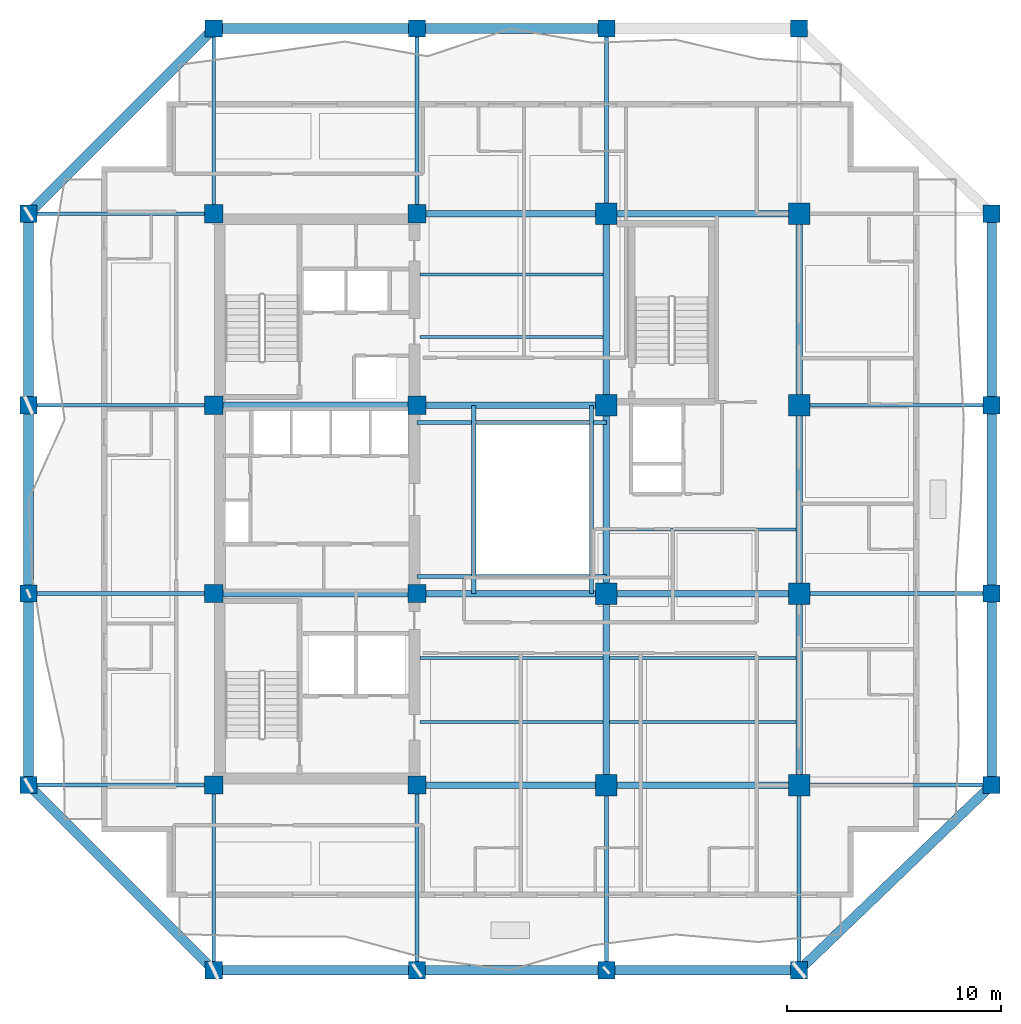
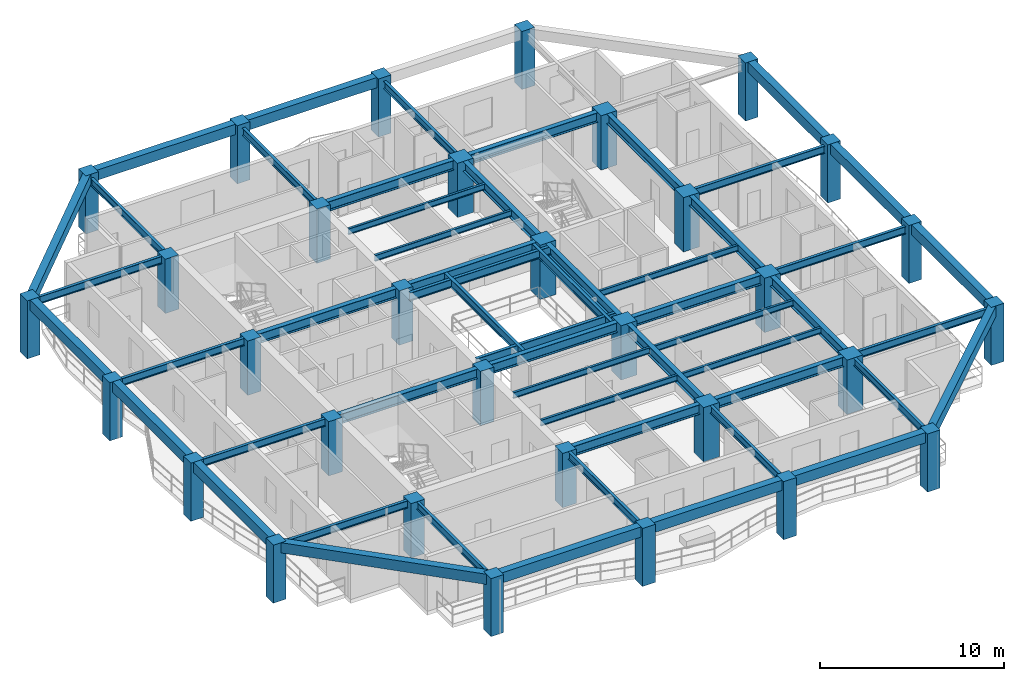
# One storey, part 1 of 11: 54 beams, 32 columns.
"""IFC4 building model written with IfcOpenShell, lengths in metres."""

from ifc_helpers import new_model, si_unit, direction, frame, origin, origin_2d, place, context, subcontext, project, spatial, rectangle, i_section, extrude, material, material_profile, profile_set, type_object, element, save


model = new_model("IFC4")

# Units and contexts
model_context = context("Model", 3, precision=1e-05, world=origin(), true_north=direction((0.0, 1.0)))
body_context = subcontext(model_context, "Body", "Model", "MODEL_VIEW")
ifc_project = project(units=[si_unit("LENGTHUNIT", "METRE"), si_unit("AREAUNIT", "SQUARE_METRE"), si_unit("VOLUMEUNIT", "CUBIC_METRE"), si_unit("PLANEANGLEUNIT", "RADIAN"), si_unit("MASSUNIT", "GRAM", prefix="KILO")], contexts=[model_context])

# Site, building, storey
site_placement = place(None, origin())
site = spatial("IfcSite", under=ifc_project, at=site_placement, CompositionType="ELEMENT")
building_placement = place(site_placement, origin())
building = spatial("IfcBuilding", under=site, at=building_placement, Name="Kundavana Baori Tower", CompositionType="ELEMENT")
storey_placement = place(building_placement, frame((0.0, 0.0, 130.949951171875)))
storey = spatial("IfcBuildingStorey", under=building, at=storey_placement, Name="L31", CompositionType="ELEMENT", Elevation=130.949951171875)

# Columns
ifc_material_1 = material(Name="Concrete C50/60", Category="concrete")
ifc_material_profile_1 = material_profile(ifc_material_1, rectangle(XDim=0.800048828125, YDim=0.800048828125, at=origin_2d()), Name="RC PF 800x800")
ifc_profile_set_1 = profile_set([ifc_material_profile_1], Name="Concrete C50/60")
column_type_1 = type_object("IfcColumnType", Name="COL-PF-800", PredefinedType="COLUMN", material=ifc_profile_set_1)
for number, where, z_axis, x_axis, name in (
    (1, (15.449951171875, 6.60009765625, 0.0), (0.0, 0.0, 1.0), (1.0, 0.0, 0.0), "L31 Stone-Clad Perimeter Frame Column PF-S1"),
    (2, (15.449951171875, 50.60009765625, 0.0), (0.0, 0.0, 1.0), (1.0, 0.0, 0.0), "L31 Stone-Clad Perimeter Frame Column PF-N1"),
    (3, (24.949951171875, 6.60009765625, 0.0), (0.0, 0.0, 1.0), (1.0, 0.0, 0.0), "L31 Stone-Clad Perimeter Frame Column PF-S2"),
    (4, (24.949951171875, 50.60009765625, 0.0), (0.0, 0.0, 1.0), (1.0, 0.0, 0.0), "L31 Stone-Clad Perimeter Frame Column PF-N2"),
    (5, (33.800048828125, 6.60009765625, 0.0), (0.0, 0.0, 1.0), (1.0, 0.0, 0.0), "L31 Stone-Clad Perimeter Frame Column PF-S3"),
    (6, (33.800048828125, 50.60009765625, 0.0), (0.0, 0.0, 1.0), (1.0, 0.0, 0.0), "L31 Stone-Clad Perimeter Frame Column PF-N3"),
    (7, (42.800048828125, 6.60009765625, 0.0), (0.0, 0.0, 1.0), (1.0, 0.0, 0.0), "L31 Stone-Clad Perimeter Frame Column PF-S4"),
    (8, (42.800048828125, 50.60009765625, 0.0), (0.0, 0.0, 1.0), (1.0, 0.0, 0.0), "L31 Stone-Clad Perimeter Frame Column PF-N4"),
    (9, (6.800048828125, 15.25, 0.0), (0.0, 0.0, 1.0), (1.0, 0.0, 0.0), "L31 Stone-Clad Perimeter Frame Column PF-W1"),
    (10, (51.800048828125, 15.25, 0.0), (0.0, 0.0, 1.0), (1.0, 0.0, 0.0), "L31 Stone-Clad Perimeter Frame Column PF-E1"),
    (11, (6.800048828125, 24.199951171875, 0.0), (0.0, 0.0, 1.0), (1.0, 0.0, 0.0), "L31 Stone-Clad Perimeter Frame Column PF-W2"),
    (12, (51.800048828125, 24.199951171875, 0.0), (0.0, 0.0, 1.0), (1.0, 0.0, 0.0), "L31 Stone-Clad Perimeter Frame Column PF-E2"),
    (13, (6.800048828125, 33.0, 0.0), (0.0, 0.0, 1.0), (1.0, 0.0, 0.0), "L31 Stone-Clad Perimeter Frame Column PF-W3"),
    (14, (51.800048828125, 33.0, 0.0), (0.0, 0.0, 1.0), (1.0, 0.0, 0.0), "L31 Stone-Clad Perimeter Frame Column PF-E3"),
    (15, (6.800048828125, 41.949951171875, 0.0), (0.0, 0.0, 1.0), (1.0, 0.0, 0.0), "L31 Stone-Clad Perimeter Frame Column PF-W4"),
    (16, (51.800048828125, 41.949951171875, 0.0), (0.0, 0.0, 1.0), (1.0, 0.0, 0.0), "L31 Stone-Clad Perimeter Frame Column PF-E4"),
):
    element("IfcColumn", number, at=place(storey_placement, frame(where, z_axis=z_axis, x_axis=x_axis)), inside=storey, type_object=column_type_1, Name=name, PredefinedType="COLUMN", context=body_context, shape_type="SweptSolid", body=[
        extrude(rectangle(XDim=0.800048828125, YDim=0.800048828125, at=origin_2d()), origin(), (0.0, 0.0, 1.0), 3.85009765625),
    ])
ifc_material_2 = material(Name="Concrete C50/60", Category="concrete")
ifc_material_profile_2 = material_profile(ifc_material_2, rectangle(XDim=1.0, YDim=1.0, at=origin_2d()), Name="RC 1000x1000")
ifc_profile_set_2 = profile_set([ifc_material_profile_2], Name="Concrete C50/60")
column_type_2 = type_object("IfcColumnType", Name="COL-RC-1000", PredefinedType="COLUMN", material=ifc_profile_set_2)
for number, where, z_axis, x_axis, name in (
    (17, (33.800048828125, 15.25, 0.0), (0.0, 0.0, 1.0), (1.0, 0.0, 0.0), "L31 Interior Column IC-5C"),
    (18, (33.800048828125, 24.199951171875, 0.0), (0.0, 0.0, 1.0), (1.0, 0.0, 0.0), "L31 Interior Column IC-5D"),
    (19, (33.800048828125, 33.0, 0.0), (0.0, 0.0, 1.0), (1.0, 0.0, 0.0), "L31 Interior Column IC-5E"),
    (20, (33.800048828125, 41.949951171875, 0.0), (0.0, 0.0, 1.0), (1.0, 0.0, 0.0), "L31 Interior Column IC-5F"),
    (21, (42.800048828125, 15.25, 0.0), (0.0, 0.0, 1.0), (1.0, 0.0, 0.0), "L31 Interior Column IC-6C"),
    (22, (42.800048828125, 24.199951171875, 0.0), (0.0, 0.0, 1.0), (1.0, 0.0, 0.0), "L31 Interior Column IC-6D"),
    (23, (42.800048828125, 33.0, 0.0), (0.0, 0.0, 1.0), (1.0, 0.0, 0.0), "L31 Interior Column IC-6E"),
    (24, (42.800048828125, 41.949951171875, 0.0), (0.0, 0.0, 1.0), (1.0, 0.0, 0.0), "L31 Interior Column IC-6F"),
):
    element("IfcColumn", number, at=place(storey_placement, frame(where, z_axis=z_axis, x_axis=x_axis)), inside=storey, type_object=column_type_2, Name=name, PredefinedType="COLUMN", context=body_context, shape_type="SweptSolid", body=[
        extrude(rectangle(XDim=1.0, YDim=1.0, at=origin_2d()), origin(), (0.0, 0.0, 1.0), 3.60009765625),
    ])
ifc_material_3 = material(Name="Concrete C50/60", Category="concrete")
ifc_material_profile_3 = material_profile(ifc_material_3, rectangle(XDim=0.85009765625, YDim=0.85009765625, at=origin_2d()), Name="RC 850x850")
ifc_profile_set_3 = profile_set([ifc_material_profile_3], Name="Concrete C50/60")
column_type_3 = type_object("IfcColumnType", Name="COL-RC-850", PredefinedType="COLUMN", material=ifc_profile_set_3)
for number, where, z_axis, x_axis, name in (
    (25, (15.449951171875, 15.25, 0.0), (0.0, 0.0, 1.0), (1.0, 0.0, 0.0), "L31 Interior Column IC-3C"),
    (26, (15.449951171875, 24.199951171875, 0.0), (0.0, 0.0, 1.0), (1.0, 0.0, 0.0), "L31 Interior Column IC-3D"),
    (27, (15.449951171875, 33.0, 0.0), (0.0, 0.0, 1.0), (1.0, 0.0, 0.0), "L31 Interior Column IC-3E"),
    (28, (15.449951171875, 41.949951171875, 0.0), (0.0, 0.0, 1.0), (1.0, 0.0, 0.0), "L31 Interior Column IC-3F"),
    (29, (24.949951171875, 15.25, 0.0), (0.0, 0.0, 1.0), (1.0, 0.0, 0.0), "L31 Interior Column IC-4C"),
    (30, (24.949951171875, 24.199951171875, 0.0), (0.0, 0.0, 1.0), (1.0, 0.0, 0.0), "L31 Interior Column IC-4D"),
    (31, (24.949951171875, 33.0, 0.0), (0.0, 0.0, 1.0), (1.0, 0.0, 0.0), "L31 Interior Column IC-4E"),
    (32, (24.949951171875, 41.949951171875, 0.0), (0.0, 0.0, 1.0), (1.0, 0.0, 0.0), "L31 Interior Column IC-4F"),
):
    element("IfcColumn", number, at=place(storey_placement, frame(where, z_axis=z_axis, x_axis=x_axis)), inside=storey, type_object=column_type_3, Name=name, PredefinedType="COLUMN", context=body_context, shape_type="SweptSolid", body=[
        extrude(rectangle(XDim=0.85009765625, YDim=0.85009765625, at=origin_2d()), origin(), (0.0, 0.0, 1.0), 3.60009765625),
    ])

# Beams
ifc_material_4 = material(Name="Structural Steel S355JR", Category="steel")
ifc_material_profile_4 = material_profile(ifc_material_4, i_section(OverallWidth=0.139892578125, OverallDepth=0.39990234375, WebThickness=0.0087890625, FlangeThickness=0.01611328125, FilletRadius=0.013916015625, at=origin_2d()), Name="ISMB 400")
ifc_profile_set_4 = profile_set([ifc_material_profile_4], Name="Structural Steel S355JR")
beam_type_1 = type_object("IfcBeamType", Name="BM-JST-400", PredefinedType="JOIST", material=ifc_profile_set_4)
for number, where, z_axis, x_axis, name in (
    (33, (25.080078125, 18.199951171875, 3.400146484375), (1.0, 0.0, 0.0), (0.0, 1.0, 0.0), "L31 Central Bay Composite Floor Joist C1"),
    (34, (25.080078125, 21.199951171875, 3.400146484375), (1.0, 0.0, 0.0), (0.0, 1.0, 0.0), "L31 Central Bay Composite Floor Joist C2"),
    (35, (25.080078125, 36.199951171875, 3.400146484375), (1.0, 0.0, 0.0), (0.0, 1.0, 0.0), "L31 Central Bay Composite Floor Joist C3"),
    (36, (25.080078125, 39.10009765625, 3.400146484375), (1.0, 0.0, 0.0), (0.0, 1.0, 0.0), "L31 Central Bay Composite Floor Joist C4"),
):
    element("IfcBeam", number, at=place(storey_placement, frame(where, z_axis=z_axis, x_axis=x_axis)), inside=storey, type_object=beam_type_1, Name=name, PredefinedType="JOIST", context=body_context, shape_type="SweptSolid", body=[
        extrude(i_section(OverallWidth=0.139892578125, OverallDepth=0.39990234375, WebThickness=0.0087890625, FlangeThickness=0.01611328125, FilletRadius=0.013916015625, at=origin_2d()), origin(), (0.0, 0.0, 1.0), 8.56982421875),
    ])
for number, where, z_axis, x_axis, name in (
    (37, (33.949951171875, 18.199951171875, 3.400146484375), (1.0, 0.0, 0.0), (0.0, 1.0, 0.0), "L31 East Bay Composite Floor Joist E1"),
    (38, (33.949951171875, 21.199951171875, 3.400146484375), (1.0, 0.0, 0.0), (0.0, 1.0, 0.0), "L31 East Bay Composite Floor Joist E2"),
    (39, (33.949951171875, 27.199951171875, 3.400146484375), (1.0, 0.0, 0.0), (0.0, 1.0, 0.0), "L31 East Bay Composite Floor Joist E3"),
):
    element("IfcBeam", number, at=place(storey_placement, frame(where, z_axis=z_axis, x_axis=x_axis)), inside=storey, type_object=beam_type_1, Name=name, PredefinedType="JOIST", context=body_context, shape_type="SweptSolid", body=[
        extrude(i_section(OverallWidth=0.139892578125, OverallDepth=0.39990234375, WebThickness=0.0087890625, FlangeThickness=0.01611328125, FilletRadius=0.013916015625, at=origin_2d()), origin(), (0.0, 0.0, 1.0), 8.699951171875),
    ])
ifc_material_5 = material(Name="Concrete C50/60", Category="concrete")
ifc_material_profile_5 = material_profile(ifc_material_5, rectangle(XDim=0.449951171875, YDim=0.679931640625, at=origin_2d()), Name="RC BM 450x680")
ifc_profile_set_5 = profile_set([ifc_material_profile_5], Name="Concrete C50/60")
beam_type_2 = type_object("IfcBeamType", Name="BM-PF-680", PredefinedType="SPANDREL", material=ifc_profile_set_5)
beam_1_placement = place(storey_placement, frame((15.449951171875, 6.60009765625, 3.510009765625), z_axis=(1.0, 0.0, 0.0), x_axis=(0.0, 1.0, 0.0)))
element("IfcBeam", 40, at=beam_1_placement, inside=storey, type_object=beam_type_2, Name="L31 Perimeter Frame Ring Beam S1", PredefinedType="SPANDREL", context=body_context, shape_type="SweptSolid", body=[
    extrude(rectangle(XDim=0.449951171875, YDim=0.679931640625, at=origin_2d()), origin(), (0.0, 0.0, 1.0), 9.5),
])
beam_2_placement = place(storey_placement, frame((24.949951171875, 6.60009765625, 3.510009765625), z_axis=(1.0, 0.0, 0.0), x_axis=(0.0, 1.0, 0.0)))
element("IfcBeam", 41, at=beam_2_placement, inside=storey, type_object=beam_type_2, Name="L31 Perimeter Frame Ring Beam S2", PredefinedType="SPANDREL", context=body_context, shape_type="SweptSolid", body=[
    extrude(rectangle(XDim=0.449951171875, YDim=0.679931640625, at=origin_2d()), origin(), (0.0, 0.0, 1.0), 8.85009765625),
])
beam_3_placement = place(storey_placement, frame((33.800048828125, 6.60009765625, 3.510009765625), z_axis=(1.0, 0.0, 0.0), x_axis=(0.0, 1.0, 0.0)))
element("IfcBeam", 42, at=beam_3_placement, inside=storey, type_object=beam_type_2, Name="L31 Perimeter Frame Ring Beam S3", PredefinedType="SPANDREL", context=body_context, shape_type="SweptSolid", body=[
    extrude(rectangle(XDim=0.449951171875, YDim=0.679931640625, at=origin_2d()), origin(), (0.0, 0.0, 1.0), 9.0),
])
beam_4_placement = place(storey_placement, frame((15.449951171875, 50.60009765625, 3.510009765625), z_axis=(1.0, 0.0, 0.0), x_axis=(0.0, 1.0, 0.0)))
element("IfcBeam", 43, at=beam_4_placement, inside=storey, type_object=beam_type_2, Name="L31 Perimeter Frame Ring Beam N1", PredefinedType="SPANDREL", context=body_context, shape_type="SweptSolid", body=[
    extrude(rectangle(XDim=0.449951171875, YDim=0.679931640625, at=origin_2d()), origin(), (0.0, 0.0, 1.0), 9.5),
])
beam_5_placement = place(storey_placement, frame((24.949951171875, 50.60009765625, 3.510009765625), z_axis=(1.0, 0.0, 0.0), x_axis=(0.0, 1.0, 0.0)))
element("IfcBeam", 44, at=beam_5_placement, inside=storey, type_object=beam_type_2, Name="L31 Perimeter Frame Ring Beam N2", PredefinedType="SPANDREL", context=body_context, shape_type="SweptSolid", body=[
    extrude(rectangle(XDim=0.449951171875, YDim=0.679931640625, at=origin_2d()), origin(), (0.0, 0.0, 1.0), 8.85009765625),
])
beam_6_placement = place(storey_placement, frame((6.800048828125, 15.25, 3.510009765625), z_axis=(0.0, 1.0, 0.0), x_axis=(-1.0, 0.0, 0.0)))
element("IfcBeam", 45, at=beam_6_placement, inside=storey, type_object=beam_type_2, Name="L31 Perimeter Frame Ring Beam W1", PredefinedType="SPANDREL", context=body_context, shape_type="SweptSolid", body=[
    extrude(rectangle(XDim=0.449951171875, YDim=0.679931640625, at=origin_2d()), origin(), (0.0, 0.0, 1.0), 8.949951171875),
])
beam_7_placement = place(storey_placement, frame((6.800048828125, 24.199951171875, 3.510009765625), z_axis=(0.0, 1.0, 0.0), x_axis=(-1.0, 0.0, 0.0)))
element("IfcBeam", 46, at=beam_7_placement, inside=storey, type_object=beam_type_2, Name="L31 Perimeter Frame Ring Beam W2", PredefinedType="SPANDREL", context=body_context, shape_type="SweptSolid", body=[
    extrude(rectangle(XDim=0.449951171875, YDim=0.679931640625, at=origin_2d()), origin(), (0.0, 0.0, 1.0), 8.800048828125),
])
for number, where, z_axis, x_axis, name in (
    (47, (6.800048828125, 33.0, 3.510009765625), (0.0, 1.0, 0.0), (-1.0, 0.0, 0.0), "L31 Perimeter Frame Ring Beam W3"),
    (48, (51.800048828125, 15.25, 3.510009765625), (0.0, 1.0, 0.0), (-1.0, 0.0, 0.0), "L31 Perimeter Frame Ring Beam E1"),
):
    element("IfcBeam", number, at=place(storey_placement, frame(where, z_axis=z_axis, x_axis=x_axis)), inside=storey, type_object=beam_type_2, Name=name, PredefinedType="SPANDREL", context=body_context, shape_type="SweptSolid", body=[
        extrude(rectangle(XDim=0.449951171875, YDim=0.679931640625, at=origin_2d()), origin(), (0.0, 0.0, 1.0), 8.949951171875),
    ])
beam_8_placement = place(storey_placement, frame((51.800048828125, 24.199951171875, 3.510009765625), z_axis=(0.0, 1.0, 0.0), x_axis=(-1.0, 0.0, 0.0)))
element("IfcBeam", 49, at=beam_8_placement, inside=storey, type_object=beam_type_2, Name="L31 Perimeter Frame Ring Beam E2", PredefinedType="SPANDREL", context=body_context, shape_type="SweptSolid", body=[
    extrude(rectangle(XDim=0.449951171875, YDim=0.679931640625, at=origin_2d()), origin(), (0.0, 0.0, 1.0), 8.800048828125),
])
beam_9_placement = place(storey_placement, frame((51.800048828125, 33.0, 3.510009765625), z_axis=(0.0, 1.0, 0.0), x_axis=(-1.0, 0.0, 0.0)))
element("IfcBeam", 50, at=beam_9_placement, inside=storey, type_object=beam_type_2, Name="L31 Perimeter Frame Ring Beam E3", PredefinedType="SPANDREL", context=body_context, shape_type="SweptSolid", body=[
    extrude(rectangle(XDim=0.449951171875, YDim=0.679931640625, at=origin_2d()), origin(), (0.0, 0.0, 1.0), 8.949951171875),
])
beam_10_placement = place(storey_placement, frame((15.449951171875, 6.60009765625, 3.510009765625), z_axis=(-0.707106781187, 0.707106781187, 0.0), x_axis=(-0.707106781187, -0.707106781187, 0.0)))
element("IfcBeam", 51, at=beam_10_placement, inside=storey, type_object=beam_type_2, Name="L31 Notched Corner Perimeter Beam SW", PredefinedType="SPANDREL", context=body_context, shape_type="SweptSolid", body=[
    extrude(rectangle(XDim=0.449951171875, YDim=0.679931640625, at=origin_2d()), origin(), (0.0, 0.0, 1.0), 12.23291015625),
])
beam_11_placement = place(storey_placement, frame((42.800048828125, 6.60009765625, 3.510009765625), z_axis=(0.720990894297, 0.692944536266, 0.0), x_axis=(-0.692944536266, 0.720990894297, 0.0)))
element("IfcBeam", 52, at=beam_11_placement, inside=storey, type_object=beam_type_2, Name="L31 Notched Corner Perimeter Beam SE", PredefinedType="SPANDREL", context=body_context, shape_type="SweptSolid", body=[
    extrude(rectangle(XDim=0.449951171875, YDim=0.679931640625, at=origin_2d()), origin(), (0.0, 0.0, 1.0), 12.48291015625),
])
beam_12_placement = place(storey_placement, frame((15.449951171875, 50.60009765625, 3.510009765625), z_axis=(-0.70709680233, -0.707116759903, 0.0), x_axis=(0.707116759903, -0.70709680233, 0.0)))
element("IfcBeam", 53, at=beam_12_placement, inside=storey, type_object=beam_type_2, Name="L31 Notched Corner Perimeter Beam NW", PredefinedType="SPANDREL", context=body_context, shape_type="SweptSolid", body=[
    extrude(rectangle(XDim=0.449951171875, YDim=0.679931640625, at=origin_2d()), origin(), (0.0, 0.0, 1.0), 12.23291015625),
])
ifc_material_6 = material(Name="Structural Steel S355JR", Category="steel")
ifc_material_profile_6 = material_profile(ifc_material_6, i_section(OverallWidth=0.18994140625, OverallDepth=0.550048828125, WebThickness=0.01123046875, FlangeThickness=0.019287109375, FilletRadius=0.01806640625, at=origin_2d()), Name="ISMB 550")
ifc_profile_set_6 = profile_set([ifc_material_profile_6], Name="Structural Steel S355JR")
beam_type_3 = type_object("IfcBeamType", Name="BM-ST-550", PredefinedType="BEAM", material=ifc_profile_set_6)
for number, where, z_axis, x_axis, name in (
    (54, (27.60009765625, 24.199951171875, 3.324951171875), (0.0, 1.0, 0.0), (-1.0, 0.0, 0.0), "L31 Atrium West Edge Beam"),
    (55, (33.10009765625, 24.199951171875, 3.324951171875), (0.0, 1.0, 0.0), (-1.0, 0.0, 0.0), "L31 Atrium East Edge Beam"),
):
    element("IfcBeam", number, at=place(storey_placement, frame(where, z_axis=z_axis, x_axis=x_axis)), inside=storey, type_object=beam_type_3, Name=name, PredefinedType="BEAM", context=body_context, shape_type="SweptSolid", body=[
        extrude(i_section(OverallWidth=0.18994140625, OverallDepth=0.550048828125, WebThickness=0.01123046875, FlangeThickness=0.019287109375, FilletRadius=0.01806640625, at=origin_2d()), origin(), (0.0, 0.0, 1.0), 8.800048828125),
    ])
for number, where, z_axis, x_axis, name in (
    (56, (24.949951171875, 25.0, 3.324951171875), (1.0, 0.0, 0.0), (0.0, 1.0, 0.0), "L31 Atrium South Edge Beam"),
    (57, (24.949951171875, 32.199951171875, 3.324951171875), (1.0, 0.0, 0.0), (0.0, 1.0, 0.0), "L31 Atrium North Edge Beam"),
):
    element("IfcBeam", number, at=place(storey_placement, frame(where, z_axis=z_axis, x_axis=x_axis)), inside=storey, type_object=beam_type_3, Name=name, PredefinedType="BEAM", context=body_context, shape_type="SweptSolid", body=[
        extrude(i_section(OverallWidth=0.18994140625, OverallDepth=0.550048828125, WebThickness=0.01123046875, FlangeThickness=0.019287109375, FilletRadius=0.01806640625, at=origin_2d()), origin(), (0.0, 0.0, 1.0), 8.85009765625),
    ])
ifc_material_7 = material(Name="Structural Steel S355JR", Category="steel")
ifc_material_profile_7 = material_profile(ifc_material_7, i_section(OverallWidth=0.300048828125, OverallDepth=0.64990234375, WebThickness=0.013427734375, FlangeThickness=0.02197265625, FilletRadius=0.02392578125, at=origin_2d()), Name="NPB 650x300x155")
ifc_profile_set_7 = profile_set([ifc_material_profile_7], Name="Structural Steel S355JR")
beam_type_4 = type_object("IfcBeamType", Name="BM-ST-650", PredefinedType="BEAM", material=ifc_profile_set_7)
beam_13_placement = place(storey_placement, frame((24.949951171875, 15.25, 3.275146484375), z_axis=(1.0, 0.0, 0.0), x_axis=(0.0, 1.0, 0.0)))
element("IfcBeam", 58, at=beam_13_placement, inside=storey, type_object=beam_type_4, Name="L31 Primary Grid Girder GX-1-2", PredefinedType="BEAM", context=body_context, shape_type="SweptSolid", body=[
    extrude(i_section(OverallWidth=0.300048828125, OverallDepth=0.64990234375, WebThickness=0.013427734375, FlangeThickness=0.02197265625, FilletRadius=0.02392578125, at=origin_2d()), origin(), (0.0, 0.0, 1.0), 8.85009765625),
])
beam_14_placement = place(storey_placement, frame((33.800048828125, 15.25, 3.275146484375), z_axis=(1.0, 0.0, 0.0), x_axis=(0.0, 1.0, 0.0)))
element("IfcBeam", 59, at=beam_14_placement, inside=storey, type_object=beam_type_4, Name="L31 Primary Grid Girder GX-1-3", PredefinedType="BEAM", context=body_context, shape_type="SweptSolid", body=[
    extrude(i_section(OverallWidth=0.300048828125, OverallDepth=0.64990234375, WebThickness=0.013427734375, FlangeThickness=0.02197265625, FilletRadius=0.02392578125, at=origin_2d()), origin(), (0.0, 0.0, 1.0), 9.0),
])
beam_15_placement = place(storey_placement, frame((15.449951171875, 24.199951171875, 3.275146484375), z_axis=(1.0, 0.0, 0.0), x_axis=(0.0, 1.0, 0.0)))
element("IfcBeam", 60, at=beam_15_placement, inside=storey, type_object=beam_type_4, Name="L31 Primary Grid Girder GX-2-1", PredefinedType="BEAM", context=body_context, shape_type="SweptSolid", body=[
    extrude(i_section(OverallWidth=0.300048828125, OverallDepth=0.64990234375, WebThickness=0.013427734375, FlangeThickness=0.02197265625, FilletRadius=0.02392578125, at=origin_2d()), origin(), (0.0, 0.0, 1.0), 9.5),
])
beam_16_placement = place(storey_placement, frame((24.949951171875, 24.199951171875, 3.275146484375), z_axis=(1.0, 0.0, 0.0), x_axis=(0.0, 1.0, 0.0)))
element("IfcBeam", 61, at=beam_16_placement, inside=storey, type_object=beam_type_4, Name="L31 Primary Grid Girder GX-2-2", PredefinedType="BEAM", context=body_context, shape_type="SweptSolid", body=[
    extrude(i_section(OverallWidth=0.300048828125, OverallDepth=0.64990234375, WebThickness=0.013427734375, FlangeThickness=0.02197265625, FilletRadius=0.02392578125, at=origin_2d()), origin(), (0.0, 0.0, 1.0), 8.85009765625),
])
beam_17_placement = place(storey_placement, frame((33.800048828125, 24.199951171875, 3.275146484375), z_axis=(1.0, 0.0, 0.0), x_axis=(0.0, 1.0, 0.0)))
element("IfcBeam", 62, at=beam_17_placement, inside=storey, type_object=beam_type_4, Name="L31 Primary Grid Girder GX-2-3", PredefinedType="BEAM", context=body_context, shape_type="SweptSolid", body=[
    extrude(i_section(OverallWidth=0.300048828125, OverallDepth=0.64990234375, WebThickness=0.013427734375, FlangeThickness=0.02197265625, FilletRadius=0.02392578125, at=origin_2d()), origin(), (0.0, 0.0, 1.0), 9.0),
])
beam_18_placement = place(storey_placement, frame((15.449951171875, 33.0, 3.275146484375), z_axis=(1.0, 0.0, 0.0), x_axis=(0.0, 1.0, 0.0)))
element("IfcBeam", 63, at=beam_18_placement, inside=storey, type_object=beam_type_4, Name="L31 Primary Grid Girder GX-3-1", PredefinedType="BEAM", context=body_context, shape_type="SweptSolid", body=[
    extrude(i_section(OverallWidth=0.300048828125, OverallDepth=0.64990234375, WebThickness=0.013427734375, FlangeThickness=0.02197265625, FilletRadius=0.02392578125, at=origin_2d()), origin(), (0.0, 0.0, 1.0), 9.5),
])
for number, where, z_axis, x_axis, name in (
    (64, (24.949951171875, 33.0, 3.275146484375), (1.0, 0.0, 0.0), (0.0, 1.0, 0.0), "L31 Primary Grid Girder GX-3-2"),
    (65, (24.949951171875, 41.949951171875, 3.275146484375), (1.0, 0.0, 0.0), (0.0, 1.0, 0.0), "L31 Primary Grid Girder GX-4-2"),
):
    element("IfcBeam", number, at=place(storey_placement, frame(where, z_axis=z_axis, x_axis=x_axis)), inside=storey, type_object=beam_type_4, Name=name, PredefinedType="BEAM", context=body_context, shape_type="SweptSolid", body=[
        extrude(i_section(OverallWidth=0.300048828125, OverallDepth=0.64990234375, WebThickness=0.013427734375, FlangeThickness=0.02197265625, FilletRadius=0.02392578125, at=origin_2d()), origin(), (0.0, 0.0, 1.0), 8.85009765625),
    ])
beam_19_placement = place(storey_placement, frame((33.800048828125, 41.949951171875, 3.275146484375), z_axis=(1.0, 0.0, 0.0), x_axis=(0.0, 1.0, 0.0)))
element("IfcBeam", 66, at=beam_19_placement, inside=storey, type_object=beam_type_4, Name="L31 Primary Grid Girder GX-4-3", PredefinedType="BEAM", context=body_context, shape_type="SweptSolid", body=[
    extrude(i_section(OverallWidth=0.300048828125, OverallDepth=0.64990234375, WebThickness=0.013427734375, FlangeThickness=0.02197265625, FilletRadius=0.02392578125, at=origin_2d()), origin(), (0.0, 0.0, 1.0), 9.0),
])
beam_20_placement = place(storey_placement, frame((33.800048828125, 15.25, 3.275146484375), z_axis=(0.0, 1.0, 0.0), x_axis=(-1.0, 0.0, 0.0)))
element("IfcBeam", 67, at=beam_20_placement, inside=storey, type_object=beam_type_4, Name="L31 Primary Grid Girder GY-3-1", PredefinedType="BEAM", context=body_context, shape_type="SweptSolid", body=[
    extrude(i_section(OverallWidth=0.300048828125, OverallDepth=0.64990234375, WebThickness=0.013427734375, FlangeThickness=0.02197265625, FilletRadius=0.02392578125, at=origin_2d()), origin(), (0.0, 0.0, 1.0), 8.949951171875),
])
beam_21_placement = place(storey_placement, frame((33.800048828125, 24.199951171875, 3.275146484375), z_axis=(0.0, 1.0, 0.0), x_axis=(-1.0, 0.0, 0.0)))
element("IfcBeam", 68, at=beam_21_placement, inside=storey, type_object=beam_type_4, Name="L31 Primary Grid Girder GY-3-2", PredefinedType="BEAM", context=body_context, shape_type="SweptSolid", body=[
    extrude(i_section(OverallWidth=0.300048828125, OverallDepth=0.64990234375, WebThickness=0.013427734375, FlangeThickness=0.02197265625, FilletRadius=0.02392578125, at=origin_2d()), origin(), (0.0, 0.0, 1.0), 8.800048828125),
])
for number, where, z_axis, x_axis, name in (
    (69, (33.800048828125, 33.0, 3.275146484375), (0.0, 1.0, 0.0), (-1.0, 0.0, 0.0), "L31 Primary Grid Girder GY-3-3"),
    (70, (42.800048828125, 15.25, 3.275146484375), (0.0, 1.0, 0.0), (-1.0, 0.0, 0.0), "L31 Primary Grid Girder GY-4-1"),
):
    element("IfcBeam", number, at=place(storey_placement, frame(where, z_axis=z_axis, x_axis=x_axis)), inside=storey, type_object=beam_type_4, Name=name, PredefinedType="BEAM", context=body_context, shape_type="SweptSolid", body=[
        extrude(i_section(OverallWidth=0.300048828125, OverallDepth=0.64990234375, WebThickness=0.013427734375, FlangeThickness=0.02197265625, FilletRadius=0.02392578125, at=origin_2d()), origin(), (0.0, 0.0, 1.0), 8.949951171875),
    ])
beam_22_placement = place(storey_placement, frame((42.800048828125, 24.199951171875, 3.275146484375), z_axis=(0.0, 1.0, 0.0), x_axis=(-1.0, 0.0, 0.0)))
element("IfcBeam", 71, at=beam_22_placement, inside=storey, type_object=beam_type_4, Name="L31 Primary Grid Girder GY-4-2", PredefinedType="BEAM", context=body_context, shape_type="SweptSolid", body=[
    extrude(i_section(OverallWidth=0.300048828125, OverallDepth=0.64990234375, WebThickness=0.013427734375, FlangeThickness=0.02197265625, FilletRadius=0.02392578125, at=origin_2d()), origin(), (0.0, 0.0, 1.0), 8.800048828125),
])
beam_23_placement = place(storey_placement, frame((42.800048828125, 33.0, 3.275146484375), z_axis=(0.0, 1.0, 0.0), x_axis=(-1.0, 0.0, 0.0)))
element("IfcBeam", 72, at=beam_23_placement, inside=storey, type_object=beam_type_4, Name="L31 Primary Grid Girder GY-4-3", PredefinedType="BEAM", context=body_context, shape_type="SweptSolid", body=[
    extrude(i_section(OverallWidth=0.300048828125, OverallDepth=0.64990234375, WebThickness=0.013427734375, FlangeThickness=0.02197265625, FilletRadius=0.02392578125, at=origin_2d()), origin(), (0.0, 0.0, 1.0), 8.949951171875),
])
ifc_material_8 = material(Name="Structural Steel S355JR", Category="steel")
ifc_material_profile_8 = material_profile(ifc_material_8, i_section(OverallWidth=0.179931640625, OverallDepth=0.5, WebThickness=0.01025390625, FlangeThickness=0.01708984375, FilletRadius=0.01708984375, at=origin_2d()), Name="ISMB 500")
ifc_profile_set_8 = profile_set([ifc_material_profile_8], Name="Structural Steel S355JR")
beam_type_5 = type_object("IfcBeamType", Name="BM-TIE-500", PredefinedType="BEAM", material=ifc_profile_set_8)
beam_24_placement = place(storey_placement, frame((15.449951171875, 15.25, 3.35009765625), z_axis=(0.0, -1.0, 0.0), x_axis=(1.0, 0.0, 0.0)))
element("IfcBeam", 73, at=beam_24_placement, inside=storey, type_object=beam_type_5, Name="L31 South Radial Loggia Tie Beam S1", PredefinedType="BEAM", context=body_context, shape_type="SweptSolid", body=[
    extrude(i_section(OverallWidth=0.179931640625, OverallDepth=0.5, WebThickness=0.01025390625, FlangeThickness=0.01708984375, FilletRadius=0.01708984375, at=origin_2d()), origin(), (0.0, 0.0, 1.0), 8.64990234375),
])
beam_25_placement = place(storey_placement, frame((15.449951171875, 41.949951171875, 3.35009765625), z_axis=(0.0, 1.0, 0.0), x_axis=(-1.0, 0.0, 0.0)))
element("IfcBeam", 74, at=beam_25_placement, inside=storey, type_object=beam_type_5, Name="L31 North Radial Loggia Tie Beam N1", PredefinedType="BEAM", context=body_context, shape_type="SweptSolid", body=[
    extrude(i_section(OverallWidth=0.179931640625, OverallDepth=0.5, WebThickness=0.01025390625, FlangeThickness=0.01708984375, FilletRadius=0.01708984375, at=origin_2d()), origin(), (0.0, 0.0, 1.0), 8.650146484375),
])
beam_26_placement = place(storey_placement, frame((24.949951171875, 15.25, 3.35009765625), z_axis=(0.0, -1.0, 0.0), x_axis=(1.0, 0.0, 0.0)))
element("IfcBeam", 75, at=beam_26_placement, inside=storey, type_object=beam_type_5, Name="L31 South Radial Loggia Tie Beam S2", PredefinedType="BEAM", context=body_context, shape_type="SweptSolid", body=[
    extrude(i_section(OverallWidth=0.179931640625, OverallDepth=0.5, WebThickness=0.01025390625, FlangeThickness=0.01708984375, FilletRadius=0.01708984375, at=origin_2d()), origin(), (0.0, 0.0, 1.0), 8.64990234375),
])
beam_27_placement = place(storey_placement, frame((24.949951171875, 41.949951171875, 3.35009765625), z_axis=(0.0, 1.0, 0.0), x_axis=(-1.0, 0.0, 0.0)))
element("IfcBeam", 76, at=beam_27_placement, inside=storey, type_object=beam_type_5, Name="L31 North Radial Loggia Tie Beam N2", PredefinedType="BEAM", context=body_context, shape_type="SweptSolid", body=[
    extrude(i_section(OverallWidth=0.179931640625, OverallDepth=0.5, WebThickness=0.01025390625, FlangeThickness=0.01708984375, FilletRadius=0.01708984375, at=origin_2d()), origin(), (0.0, 0.0, 1.0), 8.650146484375),
])
beam_28_placement = place(storey_placement, frame((33.800048828125, 15.25, 3.35009765625), z_axis=(0.0, -1.0, 0.0), x_axis=(1.0, 0.0, 0.0)))
element("IfcBeam", 77, at=beam_28_placement, inside=storey, type_object=beam_type_5, Name="L31 South Radial Loggia Tie Beam S3", PredefinedType="BEAM", context=body_context, shape_type="SweptSolid", body=[
    extrude(i_section(OverallWidth=0.179931640625, OverallDepth=0.5, WebThickness=0.01025390625, FlangeThickness=0.01708984375, FilletRadius=0.01708984375, at=origin_2d()), origin(), (0.0, 0.0, 1.0), 8.64990234375),
])
beam_29_placement = place(storey_placement, frame((33.800048828125, 41.949951171875, 3.35009765625), z_axis=(0.0, 1.0, 0.0), x_axis=(-1.0, 0.0, 0.0)))
element("IfcBeam", 78, at=beam_29_placement, inside=storey, type_object=beam_type_5, Name="L31 North Radial Loggia Tie Beam N3", PredefinedType="BEAM", context=body_context, shape_type="SweptSolid", body=[
    extrude(i_section(OverallWidth=0.179931640625, OverallDepth=0.5, WebThickness=0.01025390625, FlangeThickness=0.01708984375, FilletRadius=0.01708984375, at=origin_2d()), origin(), (0.0, 0.0, 1.0), 8.650146484375),
])
for number, where, z_axis, x_axis, name in (
    (79, (42.800048828125, 15.25, 3.35009765625), (0.0, -1.0, 0.0), (1.0, 0.0, 0.0), "L31 South Radial Loggia Tie Beam S4"),
    (80, (15.449951171875, 15.25, 3.35009765625), (-1.0, 0.0, 0.0), (0.0, -1.0, 0.0), "L31 West Radial Loggia Tie Beam W1"),
):
    element("IfcBeam", number, at=place(storey_placement, frame(where, z_axis=z_axis, x_axis=x_axis)), inside=storey, type_object=beam_type_5, Name=name, PredefinedType="BEAM", context=body_context, shape_type="SweptSolid", body=[
        extrude(i_section(OverallWidth=0.179931640625, OverallDepth=0.5, WebThickness=0.01025390625, FlangeThickness=0.01708984375, FilletRadius=0.01708984375, at=origin_2d()), origin(), (0.0, 0.0, 1.0), 8.64990234375),
    ])
beam_30_placement = place(storey_placement, frame((42.800048828125, 15.25, 3.35009765625), z_axis=(1.0, 0.0, 0.0), x_axis=(0.0, 1.0, 0.0)))
element("IfcBeam", 81, at=beam_30_placement, inside=storey, type_object=beam_type_5, Name="L31 East Radial Loggia Tie Beam E1", PredefinedType="BEAM", context=body_context, shape_type="SweptSolid", body=[
    extrude(i_section(OverallWidth=0.179931640625, OverallDepth=0.5, WebThickness=0.01025390625, FlangeThickness=0.01708984375, FilletRadius=0.01708984375, at=origin_2d()), origin(), (0.0, 0.0, 1.0), 9.0),
])
beam_31_placement = place(storey_placement, frame((15.449951171875, 24.199951171875, 3.35009765625), z_axis=(-1.0, 0.0, 0.0), x_axis=(0.0, -1.0, 0.0)))
element("IfcBeam", 82, at=beam_31_placement, inside=storey, type_object=beam_type_5, Name="L31 West Radial Loggia Tie Beam W2", PredefinedType="BEAM", context=body_context, shape_type="SweptSolid", body=[
    extrude(i_section(OverallWidth=0.179931640625, OverallDepth=0.5, WebThickness=0.01025390625, FlangeThickness=0.01708984375, FilletRadius=0.01708984375, at=origin_2d()), origin(), (0.0, 0.0, 1.0), 8.64990234375),
])
beam_32_placement = place(storey_placement, frame((42.800048828125, 24.199951171875, 3.35009765625), z_axis=(1.0, 0.0, 0.0), x_axis=(0.0, 1.0, 0.0)))
element("IfcBeam", 83, at=beam_32_placement, inside=storey, type_object=beam_type_5, Name="L31 East Radial Loggia Tie Beam E2", PredefinedType="BEAM", context=body_context, shape_type="SweptSolid", body=[
    extrude(i_section(OverallWidth=0.179931640625, OverallDepth=0.5, WebThickness=0.01025390625, FlangeThickness=0.01708984375, FilletRadius=0.01708984375, at=origin_2d()), origin(), (0.0, 0.0, 1.0), 9.0),
])
beam_33_placement = place(storey_placement, frame((15.449951171875, 33.0, 3.35009765625), z_axis=(-1.0, 0.0, 0.0), x_axis=(0.0, -1.0, 0.0)))
element("IfcBeam", 84, at=beam_33_placement, inside=storey, type_object=beam_type_5, Name="L31 West Radial Loggia Tie Beam W3", PredefinedType="BEAM", context=body_context, shape_type="SweptSolid", body=[
    extrude(i_section(OverallWidth=0.179931640625, OverallDepth=0.5, WebThickness=0.01025390625, FlangeThickness=0.01708984375, FilletRadius=0.01708984375, at=origin_2d()), origin(), (0.0, 0.0, 1.0), 8.64990234375),
])
beam_34_placement = place(storey_placement, frame((42.800048828125, 33.0, 3.35009765625), z_axis=(1.0, 0.0, 0.0), x_axis=(0.0, 1.0, 0.0)))
element("IfcBeam", 85, at=beam_34_placement, inside=storey, type_object=beam_type_5, Name="L31 East Radial Loggia Tie Beam E3", PredefinedType="BEAM", context=body_context, shape_type="SweptSolid", body=[
    extrude(i_section(OverallWidth=0.179931640625, OverallDepth=0.5, WebThickness=0.01025390625, FlangeThickness=0.01708984375, FilletRadius=0.01708984375, at=origin_2d()), origin(), (0.0, 0.0, 1.0), 9.0),
])
beam_35_placement = place(storey_placement, frame((15.449951171875, 41.949951171875, 3.35009765625), z_axis=(-1.0, 0.0, 0.0), x_axis=(0.0, -1.0, 0.0)))
element("IfcBeam", 86, at=beam_35_placement, inside=storey, type_object=beam_type_5, Name="L31 West Radial Loggia Tie Beam W4", PredefinedType="BEAM", context=body_context, shape_type="SweptSolid", body=[
    extrude(i_section(OverallWidth=0.179931640625, OverallDepth=0.5, WebThickness=0.01025390625, FlangeThickness=0.01708984375, FilletRadius=0.01708984375, at=origin_2d()), origin(), (0.0, 0.0, 1.0), 8.64990234375),
])

save(model, "model.ifc")
